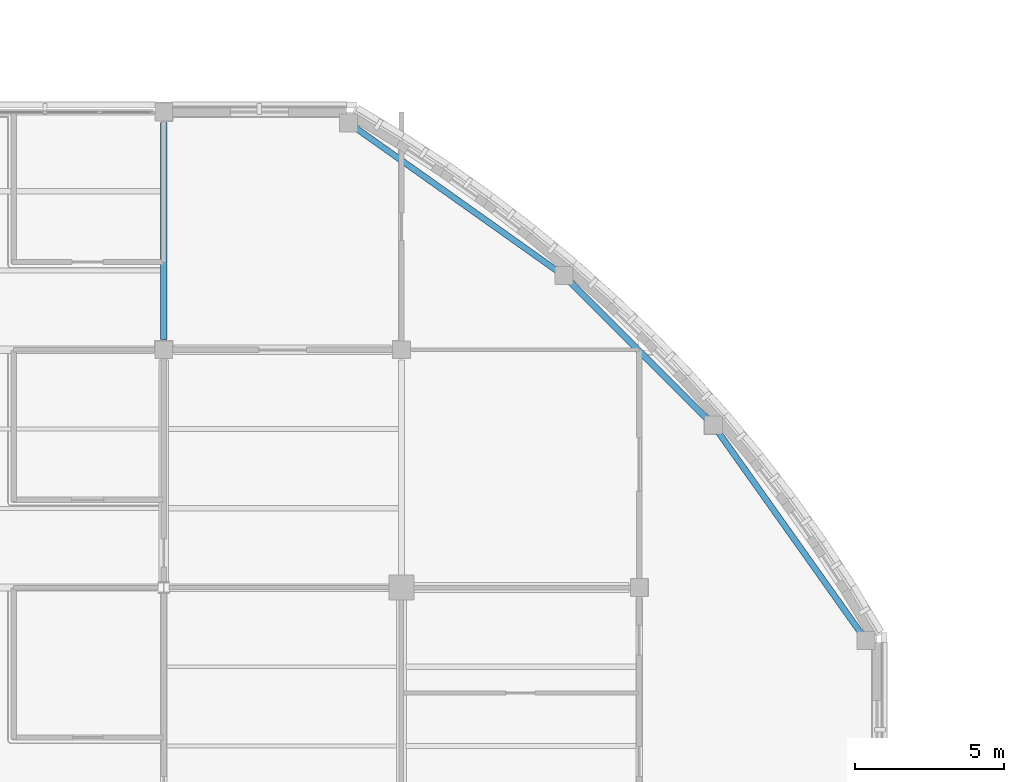
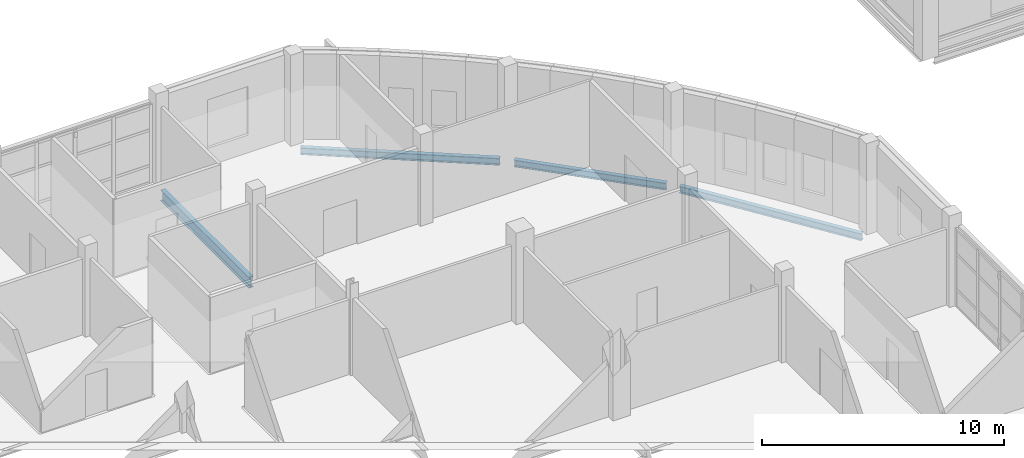
# One storey, part 40 of 121: 4 beams.
"""IFC4 building model written with IfcOpenShell, lengths in metres."""

from ifc_helpers import new_model, si_unit, derived_unit, direction, frame, origin, origin_2d, place, context, subcontext, project, spatial, i_section, extrude, material, material_profile, profile_set, type_object, element, save


model = new_model("IFC4")

# Units and contexts
model_context = context("Model", 3, precision=1e-05, world=origin(), true_north=direction((0.0, 1.0)))
body_context = subcontext(model_context, "Body", "Model", "MODEL_VIEW")
ifc_project = project(units=[si_unit("LENGTHUNIT", "METRE"), si_unit("AREAUNIT", "SQUARE_METRE"), si_unit("VOLUMEUNIT", "CUBIC_METRE"), si_unit("PLANEANGLEUNIT", "RADIAN"), si_unit("MASSUNIT", "GRAM", prefix="KILO"), derived_unit("THERMALTRANSMITTANCEUNIT", [(si_unit("MASSUNIT", "GRAM", prefix="KILO"), 1), (si_unit("TIMEUNIT", "SECOND"), -3), (si_unit("THERMODYNAMICTEMPERATUREUNIT", "KELVIN"), -1)])], contexts=[model_context])

# Site, building, storey
site_placement = place(None, origin())
site = spatial("IfcSite", under=ifc_project, at=site_placement, CompositionType="ELEMENT")
building_placement = place(site_placement, origin())
building = spatial("IfcBuilding", under=site, at=building_placement, Name="Veyamyaing Civic Hall", CompositionType="ELEMENT")
storey_placement = place(building_placement, frame((0.0, 0.0, 5.280029296875)))
storey = spatial("IfcBuildingStorey", under=building, at=storey_placement, Name="L01", CompositionType="ELEMENT", Elevation=5.280029296875)

# Beams
ifc_material = material(Name="Steel ASTM A992", Category="steel")
ifc_material_profile_1 = material_profile(ifc_material, i_section(OverallWidth=0.2041015625, OverallDepth=0.35009765625, WebThickness=0.0078125, FlangeThickness=0.01513671875, FilletRadius=0.010009765625, at=origin_2d()), Name="W360X72")
ifc_profile_set_1 = profile_set([ifc_material_profile_1], Name="Steel ASTM A992")
beam_type_1 = type_object("IfcBeamType", Name="B-11", PredefinedType="SPANDREL", material=ifc_profile_set_1)
beam_1_placement = place(storey_placement, frame((119.462646484375, 78.46533203125, -0.419921875), z_axis=(-0.578662285773, 0.815567262109, 0.0), x_axis=(-0.815567262109, -0.578662285773, 0.0)))
element("IfcBeam", 1, at=beam_1_placement, inside=storey, type_object=beam_type_1, Name="Curved corner spandrel B-11 L01 NE.1", PredefinedType="SPANDREL", context=body_context, shape_type="SweptSolid", body=[
    extrude(i_section(OverallWidth=0.2041015625, OverallDepth=0.35009765625, WebThickness=0.0078125, FlangeThickness=0.01513671875, FilletRadius=0.010009765625, at=origin_2d()), origin(), (0.0, 0.0, 1.0), 8.284423828125),
])
beam_2_placement = place(storey_placement, frame((114.282958984375, 85.6787109375, -0.419921875), z_axis=(-0.707106781187, 0.707106781187, 0.0), x_axis=(-0.707106781187, -0.707106781187, 0.0)))
element("IfcBeam", 2, at=beam_2_placement, inside=storey, type_object=beam_type_1, Name="Curved corner spandrel B-11 L01 NE.2", PredefinedType="SPANDREL", context=body_context, shape_type="SweptSolid", body=[
    extrude(i_section(OverallWidth=0.2041015625, OverallDepth=0.35009765625, WebThickness=0.0078125, FlangeThickness=0.01513671875, FilletRadius=0.010009765625, at=origin_2d()), origin(), (0.0, 0.0, 1.0), 6.511474609375),
])
beam_3_placement = place(storey_placement, frame((109.221923828125, 90.668701171875, -0.419921875), z_axis=(-0.815567262109, 0.578662285773, 0.0), x_axis=(-0.578662285773, -0.815567262109, 0.0)))
element("IfcBeam", 3, at=beam_3_placement, inside=storey, type_object=beam_type_1, Name="Curved corner spandrel B-11 L01 NE.3", PredefinedType="SPANDREL", context=body_context, shape_type="SweptSolid", body=[
    extrude(i_section(OverallWidth=0.2041015625, OverallDepth=0.35009765625, WebThickness=0.0078125, FlangeThickness=0.01513671875, FilletRadius=0.010009765625, at=origin_2d()), origin(), (0.0, 0.0, 1.0), 8.284423828125),
])
ifc_material_profile_2 = material_profile(ifc_material, i_section(OverallWidth=0.214111328125, OverallDepth=0.549072265625, WebThickness=0.0146484375, FlangeThickness=0.023681640625, FilletRadius=0.011962890625, at=origin_2d()), Name="W530X138")
ifc_profile_set_2 = profile_set([ifc_material_profile_2], Name="Steel ASTM A992")
beam_type_2 = type_object("IfcBeamType", Name="B-16", PredefinedType="BEAM", material=ifc_profile_set_2)
beam_4_placement = place(storey_placement, frame((96.0, 88.35009765625, -0.51953125), z_axis=(0.0, 1.0, 0.0), x_axis=(-1.0, 0.0, 0.0)))
element("IfcBeam", 4, at=beam_4_placement, inside=storey, type_object=beam_type_2, Name="Girder B-16 L01 Grid 13 M-N", PredefinedType="BEAM", context=body_context, shape_type="SweptSolid", body=[
    extrude(i_section(OverallWidth=0.214111328125, OverallDepth=0.549072265625, WebThickness=0.0146484375, FlangeThickness=0.023681640625, FilletRadius=0.011962890625, at=origin_2d()), origin(), (0.0, 0.0, 1.0), 7.2998046875),
])

save(model, "model.ifc")
